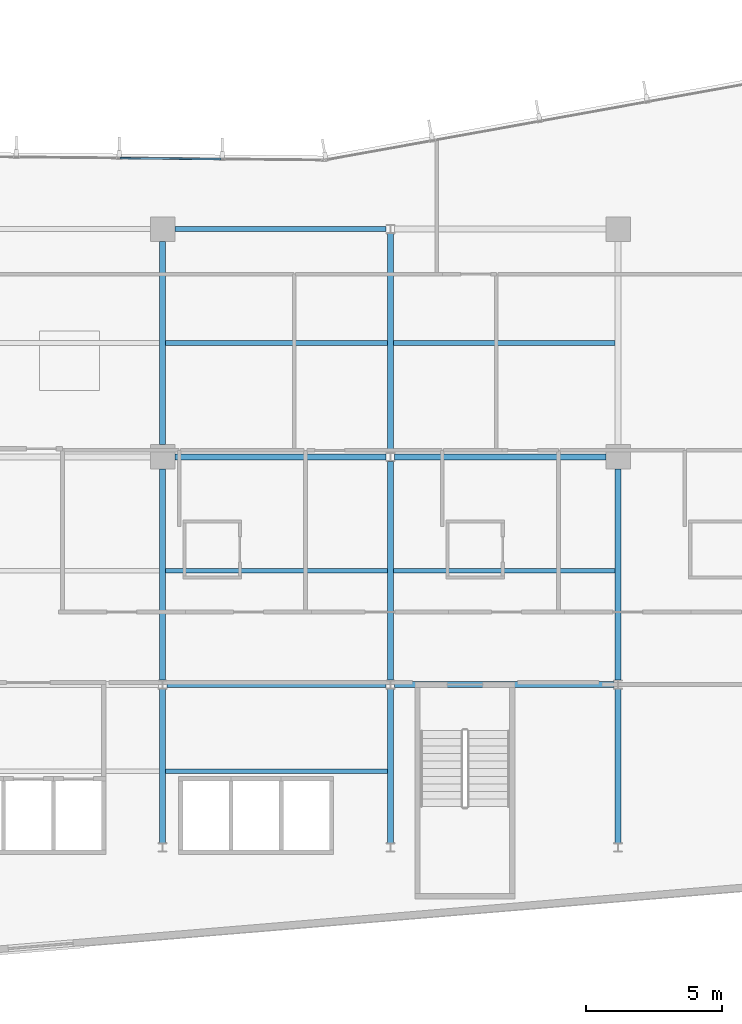
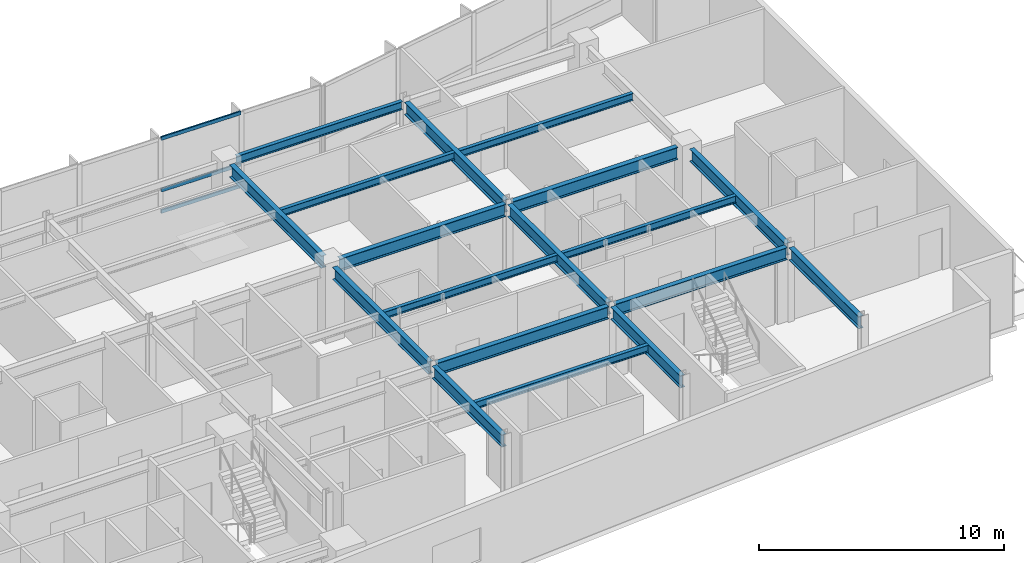
# One storey, part 5 of 19: 18 beams, 3 members, 1 element without a shape of its own.
"""IFC4 building model written with IfcOpenShell, lengths in metres."""

from ifc_helpers import new_model, si_unit, direction, frame, origin, origin_2d, place, context, subcontext, project, spatial, hollow_rectangle, i_section, extrude, material, layer, layer_set, material_profile, profile_set, type_object, element, aggregate, save


model = new_model("IFC4")

# Units and contexts
model_context = context("Model", 3, precision=1e-05, world=origin(), true_north=direction((0.0, 1.0)))
body_context = subcontext(model_context, "Body", "Model", "MODEL_VIEW")
ifc_project = project(units=[si_unit("LENGTHUNIT", "METRE"), si_unit("AREAUNIT", "SQUARE_METRE"), si_unit("VOLUMEUNIT", "CUBIC_METRE"), si_unit("PLANEANGLEUNIT", "RADIAN"), si_unit("MASSUNIT", "GRAM", prefix="KILO")], contexts=[model_context])

# Site, building, storey
site_placement = place(None, origin())
site = spatial("IfcSite", under=ifc_project, at=site_placement, CompositionType="ELEMENT")
building_placement = place(site_placement, origin())
building = spatial("IfcBuilding", under=site, at=building_placement, Name="Varnakote Quay Hospital", CompositionType="ELEMENT")
storey_placement = place(building_placement, frame((0.0, 0.0, 89.64990234375)))
storey = spatial("IfcBuildingStorey", under=building, at=storey_placement, Name="L22", CompositionType="ELEMENT", Elevation=89.64990234375)

# Beams
ifc_material_1 = material(Name="Structural steel AS/NZS 3679.1 Grade 350 L0 (fy 340 MPa)", Category="steel")
ifc_material_profile_1 = material_profile(ifc_material_1, i_section(OverallWidth=0.22900390625, OverallDepth=0.612060546875, WebThickness=0.011962890625, FlangeThickness=0.01953125, FilletRadius=0.013916015625, at=origin_2d()), Name="610UB125")
ifc_profile_set_1 = profile_set([ifc_material_profile_1], Name="Structural steel AS/NZS 3679.1 Grade 350 L0 (fy 340 MPa)")
beam_type_1 = type_object("IfcBeamType", Name="BM-STL-610UB125", PredefinedType="BEAM", material=ifc_profile_set_1)
for number, where, z_axis, x_axis, name in (
    (1, (33.755615234375, 12.0, 3.404052734375), (1.0, 0.0, 0.0), (0.0, 1.0, 0.0), "L22 Primary Floor Beam"),
    (2, (42.155517578125, 12.0, 3.404052734375), (1.0, 0.0, 0.0), (0.0, 1.0, 0.0), "L22 Primary Floor Beam"),
):
    element("IfcBeam", number, at=place(storey_placement, frame(where, z_axis=z_axis, x_axis=x_axis)), inside=storey, type_object=beam_type_1, Name=name, PredefinedType="BEAM", context=body_context, shape_type="SweptSolid", body=[
        extrude(i_section(OverallWidth=0.22900390625, OverallDepth=0.612060546875, WebThickness=0.011962890625, FlangeThickness=0.01953125, FilletRadius=0.013916015625, at=origin_2d()), origin(), (0.0, 0.0, 1.0), 8.0888671875),
    ])
for number, where, z_axis, x_axis, name in (
    (3, (34.050048828125, 20.39990234375, 3.404052734375), (1.0, 0.0, 0.0), (0.0, 1.0, 0.0), "L22 Primary Floor Beam"),
    (4, (42.155517578125, 20.39990234375, 3.404052734375), (1.0, 0.0, 0.0), (0.0, 1.0, 0.0), "L22 Primary Floor Beam"),
):
    element("IfcBeam", number, at=place(storey_placement, frame(where, z_axis=z_axis, x_axis=x_axis)), inside=storey, type_object=beam_type_1, Name=name, PredefinedType="BEAM", context=body_context, shape_type="SweptSolid", body=[
        extrude(i_section(OverallWidth=0.22900390625, OverallDepth=0.612060546875, WebThickness=0.011962890625, FlangeThickness=0.01953125, FilletRadius=0.013916015625, at=origin_2d()), origin(), (0.0, 0.0, 1.0), 7.79443359375),
    ])
beam_1_placement = place(storey_placement, frame((33.60009765625, 6.16357421875, 3.404052734375), z_axis=(0.0, 1.0, 0.0), x_axis=(-1.0, 0.0, 0.0)))
element("IfcBeam", 5, at=beam_1_placement, inside=storey, type_object=beam_type_1, Name="L22 Primary Tie Beam", PredefinedType="BEAM", context=body_context, shape_type="SweptSolid", body=[
    extrude(i_section(OverallWidth=0.22900390625, OverallDepth=0.612060546875, WebThickness=0.011962890625, FlangeThickness=0.01953125, FilletRadius=0.013916015625, at=origin_2d()), origin(), (0.0, 0.0, 1.0), 5.6728515625),
])
beam_2_placement = place(storey_placement, frame((33.60009765625, 12.16357421875, 3.404052734375), z_axis=(0.0, 1.0, 0.0), x_axis=(-1.0, 0.0, 0.0)))
element("IfcBeam", 6, at=beam_2_placement, inside=storey, type_object=beam_type_1, Name="L22 Primary Tie Beam", PredefinedType="BEAM", context=body_context, shape_type="SweptSolid", body=[
    extrude(i_section(OverallWidth=0.22900390625, OverallDepth=0.612060546875, WebThickness=0.011962890625, FlangeThickness=0.01953125, FilletRadius=0.013916015625, at=origin_2d()), origin(), (0.0, 0.0, 1.0), 7.786376953125),
])
beam_3_placement = place(storey_placement, frame((33.60009765625, 20.85009765625, 3.404052734375), z_axis=(0.0, 1.0, 0.0), x_axis=(-1.0, 0.0, 0.0)))
element("IfcBeam", 7, at=beam_3_placement, inside=storey, type_object=beam_type_1, Name="L22 Primary Tie Beam", PredefinedType="BEAM", context=body_context, shape_type="SweptSolid", body=[
    extrude(i_section(OverallWidth=0.22900390625, OverallDepth=0.612060546875, WebThickness=0.011962890625, FlangeThickness=0.01953125, FilletRadius=0.013916015625, at=origin_2d()), origin(), (0.0, 0.0, 1.0), 7.5),
])
beam_4_placement = place(storey_placement, frame((42.0, 6.16357421875, 3.404052734375), z_axis=(0.0, 1.0, 0.0), x_axis=(-1.0, 0.0, 0.0)))
element("IfcBeam", 8, at=beam_4_placement, inside=storey, type_object=beam_type_1, Name="L22 Primary Tie Beam", PredefinedType="BEAM", context=body_context, shape_type="SweptSolid", body=[
    extrude(i_section(OverallWidth=0.22900390625, OverallDepth=0.612060546875, WebThickness=0.011962890625, FlangeThickness=0.01953125, FilletRadius=0.013916015625, at=origin_2d()), origin(), (0.0, 0.0, 1.0), 5.6728515625),
])
for number, where, z_axis, x_axis, name in (
    (9, (42.0, 12.16357421875, 3.404052734375), (0.0, 1.0, 0.0), (-1.0, 0.0, 0.0), "L22 Primary Tie Beam"),
    (10, (42.0, 20.5634765625, 3.404052734375), (0.0, 1.0, 0.0), (-1.0, 0.0, 0.0), "L22 Primary Tie Beam"),
):
    element("IfcBeam", number, at=place(storey_placement, frame(where, z_axis=z_axis, x_axis=x_axis)), inside=storey, type_object=beam_type_1, Name=name, PredefinedType="BEAM", context=body_context, shape_type="SweptSolid", body=[
        extrude(i_section(OverallWidth=0.22900390625, OverallDepth=0.612060546875, WebThickness=0.011962890625, FlangeThickness=0.01953125, FilletRadius=0.013916015625, at=origin_2d()), origin(), (0.0, 0.0, 1.0), 8.072998046875),
    ])
beam_5_placement = place(storey_placement, frame((50.39990234375, 6.16357421875, 3.404052734375), z_axis=(0.0, 1.0, 0.0), x_axis=(-1.0, 0.0, 0.0)))
element("IfcBeam", 11, at=beam_5_placement, inside=storey, type_object=beam_type_1, Name="L22 Primary Tie Beam", PredefinedType="BEAM", context=body_context, shape_type="SweptSolid", body=[
    extrude(i_section(OverallWidth=0.22900390625, OverallDepth=0.612060546875, WebThickness=0.011962890625, FlangeThickness=0.01953125, FilletRadius=0.013916015625, at=origin_2d()), origin(), (0.0, 0.0, 1.0), 5.6728515625),
])
beam_6_placement = place(storey_placement, frame((50.39990234375, 12.16357421875, 3.404052734375), z_axis=(0.0, 1.0, 0.0), x_axis=(-1.0, 0.0, 0.0)))
element("IfcBeam", 12, at=beam_6_placement, inside=storey, type_object=beam_type_1, Name="L22 Primary Tie Beam", PredefinedType="BEAM", context=body_context, shape_type="SweptSolid", body=[
    extrude(i_section(OverallWidth=0.22900390625, OverallDepth=0.612060546875, WebThickness=0.011962890625, FlangeThickness=0.01953125, FilletRadius=0.013916015625, at=origin_2d()), origin(), (0.0, 0.0, 1.0), 7.786376953125),
])

# Curtain wall, members
ifc_material_2 = material(Name="Anodised aluminium 6063-T6 Bronze", Category="aluminium")
ifc_layer = layer(ifc_material_2, 0.18994140625)
ifc_layer_set = layer_set([ifc_layer], Name="Anodised aluminium 6063-T6 Bronze")
curtain_wall_type = type_object("IfcCurtainWallType", Name="CW-SYS-2", PredefinedType="NOTDEFINED", material=ifc_layer_set)
curtain_wall_placement = place(storey_placement, origin())
curtain_wall = element("IfcCurtainWall", 13, at=curtain_wall_placement, inside=storey, type_object=curtain_wall_type, Name="L22 Unitised Bronze Curtain Wall 2", PredefinedType="NOTDEFINED")
ifc_material_3 = material(Name="Anodised aluminium 6063-T6 Bronze", Category="aluminium")
ifc_material_profile_2 = material_profile(ifc_material_3, hollow_rectangle(XDim=0.074951171875, YDim=0.179931640625, WallThickness=0.004150390625, InnerFilletRadius=0.004150390625, OuterFilletRadius=0.00830078125, at=origin_2d()), Name="CW-TRAN-180x75")
ifc_profile_set_2 = profile_set([ifc_material_profile_2], Name="Anodised aluminium 6063-T6 Bronze")
member_type = type_object("IfcMemberType", Name="CW-TRAN-180x75", PredefinedType="USERDEFINED", material=ifc_profile_set_2)
member_1_placement = place(storey_placement, frame((35.756591796875, 31.38134765625, 0.03759765625), z_axis=(-0.999952203239, 0.009777077123, 0.0), x_axis=(-0.009777077123, -0.999952203239, 0.0)))
member_1 = element("IfcMember", 14, at=member_1_placement, type_object=member_type, Name="-2-L22-2 transom 2.1", ObjectType="TRANSOM", PredefinedType="USERDEFINED", context=body_context, shape_type="SweptSolid", body=[
    extrude(hollow_rectangle(XDim=0.074951171875, YDim=0.179931640625, WallThickness=0.004150390625, InnerFilletRadius=0.004150390625, OuterFilletRadius=0.00830078125, at=origin_2d()), origin(), (0.0, 0.0, 1.0), 3.720703125),
])
member_2_placement = place(storey_placement, frame((35.756591796875, 31.38134765625, 1.10009765625), z_axis=(-0.999952203239, 0.009777077123, 0.0), x_axis=(-0.009777077123, -0.999952203239, 0.0)))
member_2 = element("IfcMember", 15, at=member_2_placement, type_object=member_type, Name="-2-L22-2 transom 2.2", ObjectType="TRANSOM", PredefinedType="USERDEFINED", context=body_context, shape_type="SweptSolid", body=[
    extrude(hollow_rectangle(XDim=0.074951171875, YDim=0.179931640625, WallThickness=0.004150390625, InnerFilletRadius=0.004150390625, OuterFilletRadius=0.00830078125, at=origin_2d()), origin(), (0.0, 0.0, 1.0), 3.720703125),
])
member_3_placement = place(storey_placement, frame((35.756591796875, 31.38134765625, 3.672607421875), z_axis=(-0.999952203239, 0.009777077123, 0.0), x_axis=(-0.009777077123, -0.999952203239, 0.0)))
member_3 = element("IfcMember", 16, at=member_3_placement, type_object=member_type, Name="-2-L22-2 transom 2.3", ObjectType="TRANSOM", PredefinedType="USERDEFINED", context=body_context, shape_type="SweptSolid", body=[
    extrude(hollow_rectangle(XDim=0.074951171875, YDim=0.179931640625, WallThickness=0.004150390625, InnerFilletRadius=0.004150390625, OuterFilletRadius=0.00830078125, at=origin_2d()), origin(), (0.0, 0.0, 1.0), 3.720703125),
])
aggregate(curtain_wall, [member_1, member_2, member_3])

# Beams
ifc_material_4 = material(Name="Structural steel AS/NZS 3679.1 Grade 350 L0 (fy 340 MPa)", Category="steel")
ifc_material_profile_3 = material_profile(ifc_material_4, i_section(OverallWidth=0.1708984375, OverallDepth=0.35595703125, WebThickness=0.00732421875, FlangeThickness=0.011474609375, FilletRadius=0.011474609375, at=origin_2d()), Name="360UB50.7")
ifc_profile_set_3 = profile_set([ifc_material_profile_3], Name="Structural steel AS/NZS 3679.1 Grade 350 L0 (fy 340 MPa)")
beam_type_2 = type_object("IfcBeamType", Name="JST-STL-360UB50-7", PredefinedType="JOIST", material=ifc_profile_set_3)
for number, where, z_axis, x_axis, name in (
    (17, (33.714599609375, 8.800048828125, 3.531982421875), (1.0, 0.0, 0.0), (0.0, 1.0, 0.0), "L22 Composite Floor Joist"),
    (18, (33.714599609375, 16.199951171875, 3.531982421875), (1.0, 0.0, 0.0), (0.0, 1.0, 0.0), "L22 Composite Floor Joist"),
    (19, (42.114501953125, 16.199951171875, 3.531982421875), (1.0, 0.0, 0.0), (0.0, 1.0, 0.0), "L22 Composite Floor Joist"),
    (20, (33.714599609375, 24.60009765625, 3.531982421875), (1.0, 0.0, 0.0), (0.0, 1.0, 0.0), "L22 Composite Floor Joist"),
    (21, (42.114501953125, 24.60009765625, 3.531982421875), (1.0, 0.0, 0.0), (0.0, 1.0, 0.0), "L22 Composite Floor Joist"),
):
    element("IfcBeam", number, at=place(storey_placement, frame(where, z_axis=z_axis, x_axis=x_axis)), inside=storey, type_object=beam_type_2, Name=name, PredefinedType="JOIST", context=body_context, shape_type="SweptSolid", body=[
        extrude(i_section(OverallWidth=0.1708984375, OverallDepth=0.35595703125, WebThickness=0.00732421875, FlangeThickness=0.011474609375, FilletRadius=0.011474609375, at=origin_2d()), origin(), (0.0, 0.0, 1.0), 8.1708984375),
    ])
ifc_material_5 = material(Name="Structural steel AS/NZS 3679.1 Grade 350 L0 (fy 340 MPa)", Category="steel")
ifc_material_profile_4 = material_profile(ifc_material_5, i_section(OverallWidth=0.177978515625, OverallDepth=0.406005859375, WebThickness=0.0078125, FlangeThickness=0.0126953125, FilletRadius=0.011474609375, at=origin_2d()), Name="410UB59.7")
ifc_profile_set_4 = profile_set([ifc_material_profile_4], Name="Structural steel AS/NZS 3679.1 Grade 350 L0 (fy 340 MPa)")
beam_type_3 = type_object("IfcBeamType", Name="SPN-STL-410UB59-7", PredefinedType="SPANDREL", material=ifc_profile_set_4)
beam_7_placement = place(storey_placement, frame((34.050048828125, 28.800048828125, 3.507080078125), z_axis=(1.0, 0.0, 0.0), x_axis=(0.0, 1.0, 0.0)))
element("IfcBeam", 22, at=beam_7_placement, inside=storey, type_object=beam_type_3, Name="L22 Perimeter Spandrel Beam", PredefinedType="SPANDREL", context=body_context, shape_type="SweptSolid", body=[
    extrude(i_section(OverallWidth=0.177978515625, OverallDepth=0.406005859375, WebThickness=0.0078125, FlangeThickness=0.0126953125, FilletRadius=0.011474609375, at=origin_2d()), origin(), (0.0, 0.0, 1.0), 7.79443359375),
])

save(model, "model.ifc")
